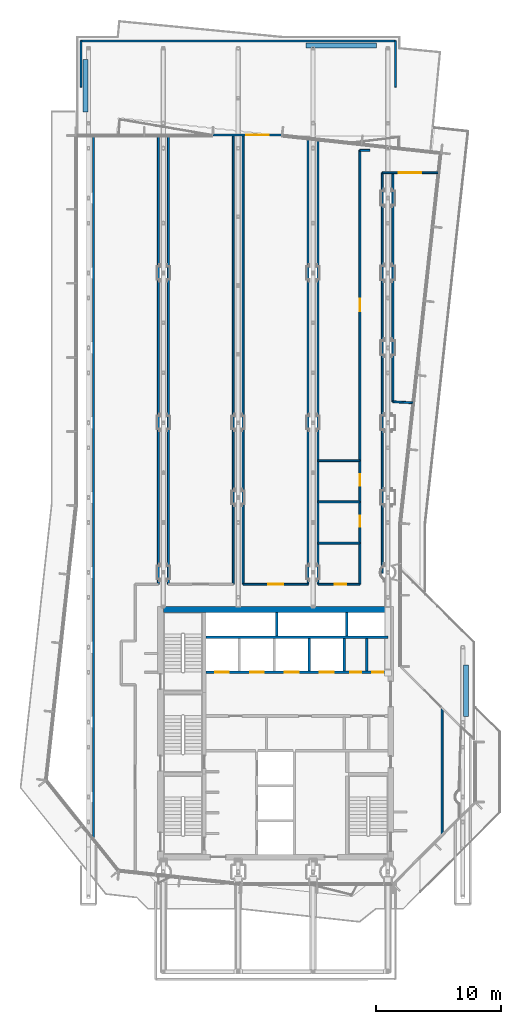
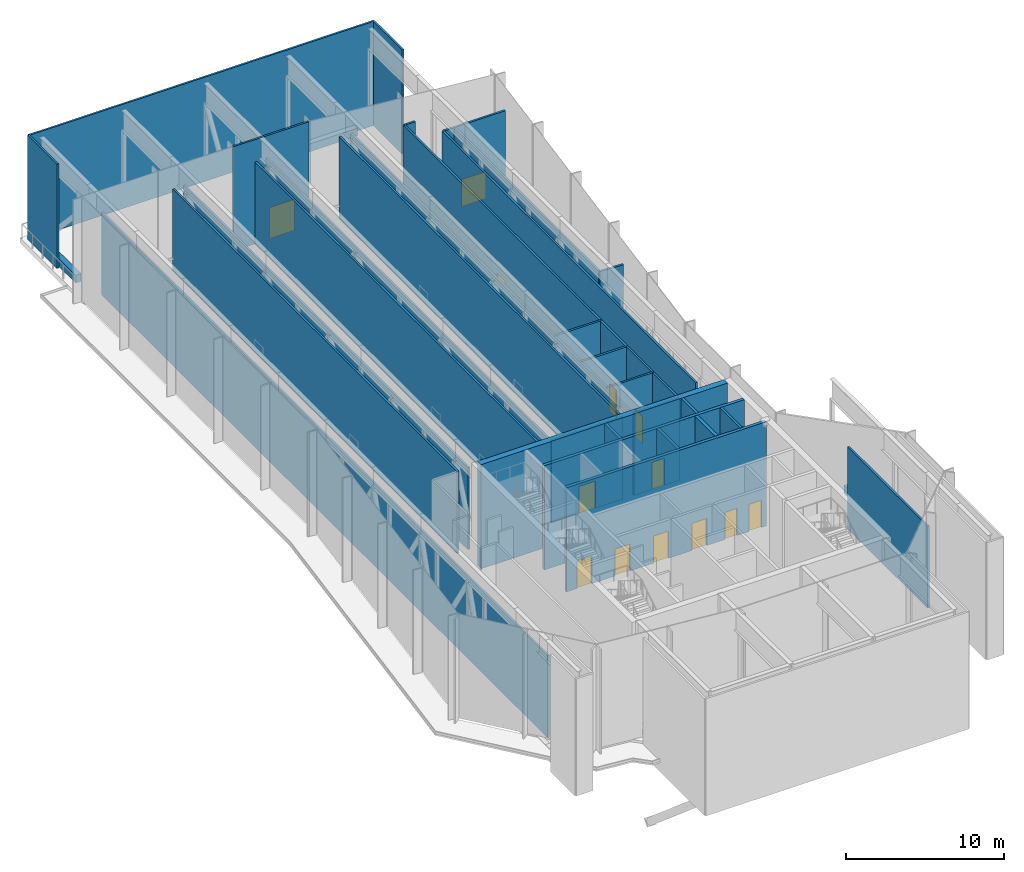
# One storey, part 13 of 21: 37 walls, 13 doors, 13 openings.
"""IFC4 building model written with IfcOpenShell, lengths in metres."""

from ifc_helpers import new_model, si_unit, direction, frame, frame_2d, origin, place, context, subcontext, project, spatial, rectangle, extrude, material, layer, layer_set, type_object, element, fill, save


model = new_model("IFC4")

# Units and contexts
model_context = context("Model", 3, precision=1e-05, world=origin(), true_north=direction((0.0, 1.0)))
body_context = subcontext(model_context, "Body", "Model", "MODEL_VIEW")
ifc_project = project(units=[si_unit("LENGTHUNIT", "METRE"), si_unit("AREAUNIT", "SQUARE_METRE"), si_unit("VOLUMEUNIT", "CUBIC_METRE"), si_unit("PLANEANGLEUNIT", "RADIAN"), si_unit("MASSUNIT", "GRAM", prefix="KILO")], contexts=[model_context])

# Site, building, storey
site_placement = place(None, origin())
site = spatial("IfcSite", under=ifc_project, at=site_placement, CompositionType="ELEMENT")
building_placement = place(site_placement, origin())
building = spatial("IfcBuilding", under=site, at=building_placement, Name="Welwitschia Terrace Campus", CompositionType="ELEMENT")
storey_placement = place(building_placement, frame((0.0, 0.0, 255.800048828125)))
storey = spatial("IfcBuildingStorey", under=building, at=storey_placement, Name="L57", CompositionType="ELEMENT", Elevation=255.800048828125)

# Wall, opening, door
ifc_material_1 = material(Name="Concrete C40/50", Category="concrete")
ifc_layer_1 = layer(ifc_material_1, 0.139892578125)
ifc_layer_set_1 = layer_set([ifc_layer_1], Name="Concrete C40/50")
wall_type_1 = type_object("IfcWallType", Name="Clad wall 140", PredefinedType="SOLIDWALL", material=ifc_layer_set_1)
wall_1_placement = place(storey_placement, frame((15.487060546875, 63.050048828125, 0.0), z_axis=(0.0, 0.0, 1.0), x_axis=(-1.0, 0.0, 0.0)))
wall_1 = element("IfcWall", 1, at=wall_1_placement, inside=storey, type_object=wall_type_1, Name="Clad wall L57.terrace door 1", PredefinedType="SOLIDWALL", context=body_context, shape_type="SweptSolid", body=[
    extrude(rectangle(XDim=5.51220703125, YDim=0.139892578125, at=frame_2d((2.756103515625, 0.0))), origin(), (0.0, 0.0, 1.0), 8.050048828125),
])
opening_1_placement = place(wall_1_placement, frame((1.055908203125, 0.0, 0.0)))
opening_1 = element("IfcOpeningElement", 2, at=opening_1_placement, cuts=wall_1, Name="Opening DE3", PredefinedType="OPENING", context=body_context, shape_type="SweptSolid", body=[
    extrude(rectangle(XDim=1.800048828125, YDim=2.39990234375, at=frame_2d((0.89990234375, 1.199951171875))), frame((0.0, 0.079833984375, 0.0), z_axis=(0.0, -1.0, 0.0), x_axis=(1.0, 0.0, 0.0)), (0.0, 0.0, 1.0), 0.159912109375),
])
ifc_material_2 = material(Name="Bronze anodised aluminium and glass", Category="aluminium")
door_type_1 = type_object("IfcDoorType", Name="Terrace door 1800x2400", OperationType="DOUBLE_DOOR_DOUBLE_SWING", PredefinedType="DOOR", material=ifc_material_2)
door_1_placement = place(opening_1_placement, origin())
door_1 = element("IfcDoor", 3, at=door_1_placement, inside=storey, type_object=door_type_1, Name="Door L57:T1", OperationType="DOUBLE_DOOR_DOUBLE_SWING", OverallHeight=2.39990234375, OverallWidth=1.800048828125, PredefinedType="DOOR", context=body_context, shape_type="SweptSolid", body=[
    extrude(rectangle(XDim=1.800048828125, YDim=2.39990234375, at=frame_2d((0.89990234375, 1.199951171875))), frame((0.0, 0.02490234375, 0.0), z_axis=(0.0, -1.0, 0.0), x_axis=(1.0, 0.0, 0.0)), (0.0, 0.0, 1.0), 0.050048828125),
])
fill(opening_1, door_1)

# Walls
wall_2_placement = place(storey_placement, frame((-0.60009765625, 70.60009765625, 0.0), z_axis=(0.0, 0.0, 1.0), x_axis=(1.0, 0.0, 0.0)))
element("IfcWall", 4, at=wall_2_placement, inside=storey, type_object=wall_type_1, Name="Clad wall L57.tip fascia Nb0 end", PredefinedType="SOLIDWALL", context=body_context, shape_type="SweptSolid", body=[
    extrude(rectangle(XDim=25.2001953125, YDim=0.139892578125, at=frame_2d((12.60009765625, 0.0))), origin(), (0.0, 0.0, 1.0), 8.050048828125),
])
for number, where, z_axis, x_axis, name in (
    (5, (-0.60009765625, 66.89990234375, 0.0), (0.0, 0.0, 1.0), (0.0, 1.0, 0.0), "Clad wall L57.tip fascia Nb0 w"),
    (6, (24.60009765625, 66.89990234375, 0.0), (0.0, 0.0, 1.0), (0.0, 1.0, 0.0), "Clad wall L57.tip fascia Nb0 e"),
):
    element("IfcWall", number, at=place(storey_placement, frame(where, z_axis=z_axis, x_axis=x_axis)), inside=storey, type_object=wall_type_1, Name=name, PredefinedType="SOLIDWALL", context=body_context, shape_type="SweptSolid", body=[
        extrude(rectangle(XDim=3.7001953125, YDim=0.139892578125, at=frame_2d((1.85009765625, 0.0))), origin(), (0.0, 0.0, 1.0), 8.050048828125),
    ])
ifc_material_3 = material(Name="Concrete C32/40", Category="concrete")
ifc_layer_2 = layer(ifc_material_3, 0.175048828125)
ifc_layer_set_2 = layer_set([ifc_layer_2], Name="Concrete C32/40")
wall_type_2 = type_object("IfcWallType", Name="Core partition 175 Concrete C32/40", PredefinedType="PARTITIONING", material=ifc_layer_set_2)
wall_3_placement = place(storey_placement, frame((22.300048828125, 20.10009765625, 0.0), z_axis=(0.0, 0.0, 1.0), x_axis=(0.0, 1.0, 0.0)))
element("IfcWall", 7, at=wall_3_placement, inside=storey, type_object=wall_type_2, Name="Core partition", PredefinedType="PARTITIONING", context=body_context, shape_type="SweptSolid", body=[
    extrude(rectangle(XDim=2.599853515625, YDim=0.175048828125, at=frame_2d((1.2998046875, 0.0))), origin(), (0.0, 0.0, 1.0), 8.050048828125),
])

# Wall, openings, doors
ifc_material_4 = material(Name="Concrete C32/40", Category="concrete")
ifc_layer_3 = layer(ifc_material_4, 0.22509765625)
ifc_layer_set_3 = layer_set([ifc_layer_3], Name="Concrete C32/40")
wall_type_3 = type_object("IfcWallType", Name="Core partition 225 Concrete C32/40", PredefinedType="PARTITIONING", material=ifc_layer_set_3)
wall_4_placement = place(storey_placement, frame((24.0, 20.0, 0.0), z_axis=(0.0, 0.0, 1.0), x_axis=(-1.0, 0.0, 0.0)))
wall_4 = element("IfcWall", 8, at=wall_4_placement, inside=storey, type_object=wall_type_3, Name="Shaft wall", PredefinedType="PARTITIONING", context=body_context, shape_type="SweptSolid", body=[
    extrude(rectangle(XDim=14.60009765625, YDim=0.22509765625, at=frame_2d((7.300048828125, 0.0))), origin(), (0.0, 0.0, 1.0), 8.050048828125),
])
opening_2_placement = place(wall_4_placement, frame((12.75, 0.0, 0.0)))
opening_2 = element("IfcOpeningElement", 9, at=opening_2_placement, cuts=wall_4, Name="Opening LD", PredefinedType="OPENING", context=body_context, shape_type="SweptSolid", body=[
    extrude(rectangle(XDim=1.10009765625, YDim=2.10009765625, at=frame_2d((0.550048828125, 1.050048828125))), frame((0.0, 0.12255859375, 0.0), z_axis=(0.0, -1.0, 0.0), x_axis=(1.0, 0.0, 0.0)), (0.0, 0.0, 1.0), 0.2451171875),
])
opening_3_placement = place(wall_4_placement, frame((9.949951171875, 0.0, 0.0)))
opening_3 = element("IfcOpeningElement", 10, at=opening_3_placement, cuts=wall_4, Name="Opening LD", PredefinedType="OPENING", context=body_context, shape_type="SweptSolid", body=[
    extrude(rectangle(XDim=1.10009765625, YDim=2.10009765625, at=frame_2d((0.550048828125, 1.050048828125))), frame((0.0, 0.12255859375, 0.0), z_axis=(0.0, -1.0, 0.0), x_axis=(1.0, 0.0, 0.0)), (0.0, 0.0, 1.0), 0.2451171875),
])
opening_4_placement = place(wall_4_placement, frame((7.14990234375, 0.0, 0.0)))
opening_4 = element("IfcOpeningElement", 11, at=opening_4_placement, cuts=wall_4, Name="Opening LD", PredefinedType="OPENING", context=body_context, shape_type="SweptSolid", body=[
    extrude(rectangle(XDim=1.10009765625, YDim=2.10009765625, at=frame_2d((0.550048828125, 1.050048828125))), frame((0.0, 0.12255859375, 0.0), z_axis=(0.0, -1.0, 0.0), x_axis=(1.0, 0.0, 0.0)), (0.0, 0.0, 1.0), 0.2451171875),
])
opening_5_placement = place(wall_4_placement, frame((4.35009765625, 0.0, 0.0)))
opening_5 = element("IfcOpeningElement", 12, at=opening_5_placement, cuts=wall_4, Name="Opening LD", PredefinedType="OPENING", context=body_context, shape_type="SweptSolid", body=[
    extrude(rectangle(XDim=1.10009765625, YDim=2.10009765625, at=frame_2d((0.550048828125, 1.050048828125))), frame((0.0, 0.12255859375, 0.0), z_axis=(0.0, -1.0, 0.0), x_axis=(1.0, 0.0, 0.0)), (0.0, 0.0, 1.0), 0.2451171875),
])
opening_6_placement = place(wall_4_placement, frame((2.137451171875, 0.0, 0.0)))
opening_6 = element("IfcOpeningElement", 13, at=opening_6_placement, cuts=wall_4, Name="Opening DR09", PredefinedType="OPENING", context=body_context, shape_type="SweptSolid", body=[
    extrude(rectangle(XDim=0.89990234375, YDim=2.10009765625, at=frame_2d((0.449951171875, 1.050048828125))), frame((0.0, 0.12255859375, 0.0), z_axis=(0.0, -1.0, 0.0), x_axis=(1.0, 0.0, 0.0)), (0.0, 0.0, 1.0), 0.2451171875),
])
opening_7_placement = place(wall_4_placement, frame((0.362548828125, 0.0, 0.0)))
opening_7 = element("IfcOpeningElement", 14, at=opening_7_placement, cuts=wall_4, Name="Opening DR09", PredefinedType="OPENING", context=body_context, shape_type="SweptSolid", body=[
    extrude(rectangle(XDim=0.89990234375, YDim=2.10009765625, at=frame_2d((0.449951171875, 1.050048828125))), frame((0.0, 0.12255859375, 0.0), z_axis=(0.0, -1.0, 0.0), x_axis=(1.0, 0.0, 0.0)), (0.0, 0.0, 1.0), 0.2451171875),
])
ifc_material_5 = material(Name="Steel S275", Category="steel")
door_type_2 = type_object("IfcDoorType", Name="Core door DR09", OperationType="SINGLE_SWING_LEFT", PredefinedType="DOOR", material=ifc_material_5)
door_2_placement = place(opening_6_placement, origin())
door_2 = element("IfcDoor", 15, at=door_2_placement, inside=storey, type_object=door_type_2, Name="Door EH1-D", OperationType="SINGLE_SWING_LEFT", OverallHeight=2.10009765625, OverallWidth=0.89990234375, PredefinedType="DOOR", context=body_context, shape_type="SweptSolid", body=[
    extrude(rectangle(XDim=0.89990234375, YDim=2.10009765625, at=frame_2d((0.449951171875, 1.050048828125))), frame((0.0, 0.02490234375, 0.0), z_axis=(0.0, -1.0, 0.0), x_axis=(1.0, 0.0, 0.0)), (0.0, 0.0, 1.0), 0.050048828125),
])
fill(opening_6, door_2)
door_3_placement = place(opening_7_placement, origin())
door_3 = element("IfcDoor", 16, at=door_3_placement, inside=storey, type_object=door_type_2, Name="Door EH2-D", OperationType="SINGLE_SWING_LEFT", OverallHeight=2.10009765625, OverallWidth=0.89990234375, PredefinedType="DOOR", context=body_context, shape_type="SweptSolid", body=[
    extrude(rectangle(XDim=0.89990234375, YDim=2.10009765625, at=frame_2d((0.449951171875, 1.050048828125))), frame((0.0, 0.02490234375, 0.0), z_axis=(0.0, -1.0, 0.0), x_axis=(1.0, 0.0, 0.0)), (0.0, 0.0, 1.0), 0.050048828125),
])
fill(opening_7, door_3)
ifc_material_6 = material(Name="Stainless steel 304", Category="steel")
door_type_3 = type_object("IfcDoorType", Name="Lift landing door", OperationType="DOUBLE_DOOR_SLIDING", PredefinedType="DOOR", material=ifc_material_6)
door_4_placement = place(opening_2_placement, origin())
door_4 = element("IfcDoor", 17, at=door_4_placement, inside=storey, type_object=door_type_3, Name="Landing door HR1", OperationType="DOUBLE_DOOR_SLIDING", OverallHeight=2.10009765625, OverallWidth=1.10009765625, PredefinedType="DOOR", context=body_context, shape_type="SweptSolid", body=[
    extrude(rectangle(XDim=1.10009765625, YDim=2.10009765625, at=frame_2d((0.550048828125, 1.050048828125))), frame((0.0, 0.02490234375, 0.0), z_axis=(0.0, -1.0, 0.0), x_axis=(1.0, 0.0, 0.0)), (0.0, 0.0, 1.0), 0.050048828125),
])
fill(opening_2, door_4)
door_5_placement = place(opening_3_placement, origin())
door_5 = element("IfcDoor", 18, at=door_5_placement, inside=storey, type_object=door_type_3, Name="Landing door HR2", OperationType="DOUBLE_DOOR_SLIDING", OverallHeight=2.10009765625, OverallWidth=1.10009765625, PredefinedType="DOOR", context=body_context, shape_type="SweptSolid", body=[
    extrude(rectangle(XDim=1.10009765625, YDim=2.10009765625, at=frame_2d((0.550048828125, 1.050048828125))), frame((0.0, 0.02490234375, 0.0), z_axis=(0.0, -1.0, 0.0), x_axis=(1.0, 0.0, 0.0)), (0.0, 0.0, 1.0), 0.050048828125),
])
fill(opening_3, door_5)
door_6_placement = place(opening_4_placement, origin())
door_6 = element("IfcDoor", 19, at=door_6_placement, inside=storey, type_object=door_type_3, Name="Landing door HR3", OperationType="DOUBLE_DOOR_SLIDING", OverallHeight=2.10009765625, OverallWidth=1.10009765625, PredefinedType="DOOR", context=body_context, shape_type="SweptSolid", body=[
    extrude(rectangle(XDim=1.10009765625, YDim=2.10009765625, at=frame_2d((0.550048828125, 1.050048828125))), frame((0.0, 0.02490234375, 0.0), z_axis=(0.0, -1.0, 0.0), x_axis=(1.0, 0.0, 0.0)), (0.0, 0.0, 1.0), 0.050048828125),
])
fill(opening_4, door_6)
door_7_placement = place(opening_5_placement, origin())
door_7 = element("IfcDoor", 20, at=door_7_placement, inside=storey, type_object=door_type_3, Name="Landing door HR4", OperationType="DOUBLE_DOOR_SLIDING", OverallHeight=2.10009765625, OverallWidth=1.10009765625, PredefinedType="DOOR", context=body_context, shape_type="SweptSolid", body=[
    extrude(rectangle(XDim=1.10009765625, YDim=2.10009765625, at=frame_2d((0.550048828125, 1.050048828125))), frame((0.0, 0.02490234375, 0.0), z_axis=(0.0, -1.0, 0.0), x_axis=(1.0, 0.0, 0.0)), (0.0, 0.0, 1.0), 0.050048828125),
])
fill(opening_5, door_7)

# Walls
wall_5_placement = place(storey_placement, frame((9.39990234375, 22.800048828125, 0.0), z_axis=(0.0, 0.0, 1.0), x_axis=(1.0, 0.0, 0.0)))
element("IfcWall", 21, at=wall_5_placement, inside=storey, type_object=wall_type_3, Name="Shaft wall", PredefinedType="PARTITIONING", context=body_context, shape_type="SweptSolid", body=[
    extrude(rectangle(XDim=14.60009765625, YDim=0.22509765625, at=frame_2d((7.300048828125, 0.0))), origin(), (0.0, 0.0, 1.0), 8.050048828125),
])
wall_6_placement = place(storey_placement, frame((20.5, 20.10009765625, 0.0), z_axis=(0.0, 0.0, 1.0), x_axis=(0.0, 1.0, 0.0)))
element("IfcWall", 22, at=wall_6_placement, inside=storey, type_object=wall_type_3, Name="Shaft wall", PredefinedType="PARTITIONING", context=body_context, shape_type="SweptSolid", body=[
    extrude(rectangle(XDim=2.599853515625, YDim=0.22509765625, at=frame_2d((1.2998046875, 0.0))), origin(), (0.0, 0.0, 1.0), 8.050048828125),
])
ifc_material_7 = material(Name="Concrete C50/60", Category="concrete")
ifc_layer_4 = layer(ifc_material_7, 0.199951171875)
ifc_layer_set_4 = layer_set([ifc_layer_4], Name="Concrete C50/60")
wall_type_4 = type_object("IfcWallType", Name="Core wall 200 Concrete C50/60", PredefinedType="SHEAR", material=ifc_layer_set_4)
for number, where, z_axis, x_axis, name in (
    (23, (15.10009765625, 22.89990234375, 0.0), (0.0, 0.0, 1.0), (0.0, 1.0, 0.0), "Core wall"),
    (24, (20.699951171875, 22.89990234375, 0.0), (0.0, 0.0, 1.0), (0.0, 1.0, 0.0), "Core wall"),
):
    element("IfcWall", number, at=place(storey_placement, frame(where, z_axis=z_axis, x_axis=x_axis)), inside=storey, type_object=wall_type_4, Name=name, PredefinedType="SHEAR", context=body_context, shape_type="SweptSolid", body=[
        extrude(rectangle(XDim=1.900146484375, YDim=0.199951171875, at=frame_2d((0.9501953125, 0.0))), origin(), (0.0, 0.0, 1.0), 8.050048828125),
    ])
ifc_material_8 = material(Name="Concrete C60/75", Category="concrete")
ifc_layer_5 = layer(ifc_material_8, 0.449951171875)
ifc_layer_set_5 = layer_set([ifc_layer_5], Name="Concrete C60/75")
wall_type_5 = type_object("IfcWallType", Name="Core wall 450 Concrete C60/75", PredefinedType="SHEAR", material=ifc_layer_set_5)
wall_7_placement = place(storey_placement, frame((6.0, 25.02490234375, 0.0), z_axis=(0.0, 0.0, 1.0), x_axis=(1.0, 0.0, 0.0)))
element("IfcWall", 25, at=wall_7_placement, inside=storey, type_object=wall_type_5, Name="Core outer wall", PredefinedType="SHEAR", context=body_context, shape_type="SweptSolid", body=[
    extrude(rectangle(XDim=18.0, YDim=0.449951171875, at=frame_2d((9.0, 0.0))), origin(), (0.0, 0.0, 1.0), 8.050048828125),
])
ifc_material_9 = material(Name="Gypsum board on steel studs", Category="steel")
ifc_layer_6 = layer(ifc_material_9, 0.14990234375)
ifc_layer_set_6 = layer_set([ifc_layer_6], Name="Gypsum board on steel studs")
wall_type_6 = type_object("IfcWallType", Name="Corridor partition 150 EI 30", PredefinedType="PARTITIONING", material=ifc_layer_set_6)
wall_8_placement = place(storey_placement, frame((0.39990234375, 6.590087890625, 0.0), z_axis=(0.0, 0.0, 1.0), x_axis=(0.0, 1.0, 0.0)))
element("IfcWall", 26, at=wall_8_placement, inside=storey, type_object=wall_type_6, Name="Partition", PredefinedType="PARTITIONING", context=body_context, shape_type="SweptSolid", body=[
    extrude(rectangle(XDim=56.409912109375, YDim=0.14990234375, at=frame_2d((28.205078125, 0.0))), origin(), (0.0, 0.0, 1.0), 6.329833984375),
])
for number, where, z_axis, x_axis, name in (
    (27, (5.60009765625, 27.050048828125, 0.0), (0.0, 0.0, 1.0), (0.0, 1.0, 0.0), "Partition"),
    (28, (6.39990234375, 27.050048828125, 0.0), (0.0, 0.0, 1.0), (0.0, 1.0, 0.0), "Partition"),
    (29, (11.60009765625, 27.050048828125, 0.0), (0.0, 0.0, 1.0), (0.0, 1.0, 0.0), "Partition"),
    (30, (12.39990234375, 27.050048828125, 0.0), (0.0, 0.0, 1.0), (0.0, 1.0, 0.0), "Partition"),
):
    element("IfcWall", number, at=place(storey_placement, frame(where, z_axis=z_axis, x_axis=x_axis)), inside=storey, type_object=wall_type_6, Name=name, PredefinedType="PARTITIONING", context=body_context, shape_type="SweptSolid", body=[
        extrude(rectangle(XDim=35.949951171875, YDim=0.14990234375, at=frame_2d((17.97509765625, 0.0))), origin(), (0.0, 0.0, 1.0), 6.329833984375),
    ])

# Wall, opening, door
wall_9_placement = place(storey_placement, frame((12.39990234375, 27.050048828125, 0.0), z_axis=(0.0, 0.0, 1.0), x_axis=(1.0, 0.0, 0.0)))
wall_9 = element("IfcWall", 31, at=wall_9_placement, inside=storey, type_object=wall_type_6, Name="Partition", PredefinedType="PARTITIONING", context=body_context, shape_type="SweptSolid", body=[
    extrude(rectangle(XDim=5.2001953125, YDim=0.14990234375, at=frame_2d((2.60009765625, 0.0))), origin(), (0.0, 0.0, 1.0), 6.329833984375),
])
opening_8_placement = place(wall_9_placement, frame((2.0, 0.0, 0.0)))
opening_8 = element("IfcOpeningElement", 32, at=opening_8_placement, cuts=wall_9, Name="Opening DI12", PredefinedType="OPENING", context=body_context, shape_type="SweptSolid", body=[
    extrude(rectangle(XDim=1.199951171875, YDim=2.10009765625, at=frame_2d((0.60009765625, 1.050048828125))), frame((0.0, 0.0849609375, 0.0), z_axis=(0.0, -1.0, 0.0), x_axis=(1.0, 0.0, 0.0)), (0.0, 0.0, 1.0), 0.169921875),
])
ifc_material_10 = material(Name="Timber veneered door", Category="wood")
door_type_4 = type_object("IfcDoorType", Name="Interior door DI12", OperationType="NOTDEFINED", PredefinedType="DOOR", material=ifc_material_10)
door_8_placement = place(opening_8_placement, origin())
door_8 = element("IfcDoor", 33, at=door_8_placement, inside=storey, type_object=door_type_4, Name="Door L57 1034", OperationType="SINGLE_SWING_LEFT", OverallHeight=2.10009765625, OverallWidth=1.199951171875, PredefinedType="DOOR", context=body_context, shape_type="SweptSolid", body=[
    extrude(rectangle(XDim=1.199951171875, YDim=2.10009765625, at=frame_2d((0.60009765625, 1.050048828125))), frame((0.0, 0.02490234375, 0.0), z_axis=(0.0, -1.0, 0.0), x_axis=(1.0, 0.0, 0.0)), (0.0, 0.0, 1.0), 0.050048828125),
])
fill(opening_8, door_8)

# Walls
wall_10_placement = place(storey_placement, frame((17.60009765625, 27.050048828125, 0.0), z_axis=(0.0, 0.0, 1.0), x_axis=(0.0, 1.0, 0.0)))
element("IfcWall", 34, at=wall_10_placement, inside=storey, type_object=wall_type_6, Name="Partition", PredefinedType="PARTITIONING", context=body_context, shape_type="SweptSolid", body=[
    extrude(rectangle(XDim=35.719970703125, YDim=0.14990234375, at=frame_2d((17.85986328125, 0.0))), origin(), (0.0, 0.0, 1.0), 6.329833984375),
])
wall_11_placement = place(storey_placement, frame((18.39990234375, 27.050048828125, 0.0), z_axis=(0.0, 0.0, 1.0), x_axis=(0.0, 1.0, 0.0)))
element("IfcWall", 35, at=wall_11_placement, inside=storey, type_object=wall_type_6, Name="Partition", PredefinedType="PARTITIONING", context=body_context, shape_type="SweptSolid", body=[
    extrude(rectangle(XDim=35.6298828125, YDim=0.14990234375, at=frame_2d((17.81494140625, 0.0))), origin(), (0.0, 0.0, 1.0), 6.329833984375),
])

# Wall, opening, door
wall_12_placement = place(storey_placement, frame((18.39990234375, 27.050048828125, 0.0), z_axis=(0.0, 0.0, 1.0), x_axis=(1.0, 0.0, 0.0)))
wall_12 = element("IfcWall", 36, at=wall_12_placement, inside=storey, type_object=wall_type_6, Name="Partition", PredefinedType="PARTITIONING", context=body_context, shape_type="SweptSolid", body=[
    extrude(rectangle(XDim=3.35009765625, YDim=0.14990234375, at=frame_2d((1.675048828125, 0.0))), origin(), (0.0, 0.0, 1.0), 6.329833984375),
])
opening_9_placement = place(wall_12_placement, frame((1.35009765625, 0.0, 0.0)))
opening_9 = element("IfcOpeningElement", 37, at=opening_9_placement, cuts=wall_12, Name="Opening DI09", PredefinedType="OPENING", context=body_context, shape_type="SweptSolid", body=[
    extrude(rectangle(XDim=0.89990234375, YDim=2.10009765625, at=frame_2d((0.449951171875, 1.050048828125))), frame((0.0, 0.0849609375, 0.0), z_axis=(0.0, -1.0, 0.0), x_axis=(1.0, 0.0, 0.0)), (0.0, 0.0, 1.0), 0.169921875),
])
ifc_material_11 = material(Name="Timber veneered door", Category="wood")
door_type_5 = type_object("IfcDoorType", Name="Interior door DI09", OperationType="NOTDEFINED", PredefinedType="DOOR", material=ifc_material_11)
door_9_placement = place(opening_9_placement, origin())
door_9 = element("IfcDoor", 38, at=door_9_placement, inside=storey, type_object=door_type_5, Name="Door L57 1035", OperationType="SINGLE_SWING_RIGHT", OverallHeight=2.10009765625, OverallWidth=0.89990234375, PredefinedType="DOOR", context=body_context, shape_type="SweptSolid", body=[
    extrude(rectangle(XDim=0.89990234375, YDim=2.10009765625, at=frame_2d((0.449951171875, 1.050048828125))), frame((0.0, 0.02490234375, 0.0), z_axis=(0.0, -1.0, 0.0), x_axis=(1.0, 0.0, 0.0)), (0.0, 0.0, 1.0), 0.050048828125),
])
fill(opening_9, door_9)

# Walls
for number, where, z_axis, x_axis, name in (
    (39, (18.39990234375, 30.35009765625, 0.0), (0.0, 0.0, 1.0), (1.0, 0.0, 0.0), "Partition"),
    (40, (18.39990234375, 33.64990234375, 0.0), (0.0, 0.0, 1.0), (1.0, 0.0, 0.0), "Partition"),
    (41, (18.39990234375, 36.949951171875, 0.0), (0.0, 0.0, 1.0), (1.0, 0.0, 0.0), "Partition"),
):
    element("IfcWall", number, at=place(storey_placement, frame(where, z_axis=z_axis, x_axis=x_axis)), inside=storey, type_object=wall_type_6, Name=name, PredefinedType="PARTITIONING", context=body_context, shape_type="SweptSolid", body=[
        extrude(rectangle(XDim=3.35009765625, YDim=0.14990234375, at=frame_2d((1.675048828125, 0.0))), origin(), (0.0, 0.0, 1.0), 6.329833984375),
    ])
wall_13_placement = place(storey_placement, frame((21.75, 27.050048828125, 0.0), z_axis=(0.0, 0.0, 1.0), x_axis=(0.0, 1.0, 0.0)))
element("IfcWall", 42, at=wall_13_placement, inside=storey, type_object=wall_type_6, Name="Partition", PredefinedType="PARTITIONING", context=body_context, shape_type="SweptSolid", body=[
    extrude(rectangle(XDim=3.300048828125, YDim=0.14990234375, at=frame_2d((1.64990234375, 0.0))), origin(), (0.0, 0.0, 1.0), 6.329833984375),
])

# Wall, opening, door
wall_14_placement = place(storey_placement, frame((21.75, 30.35009765625, 0.0), z_axis=(0.0, 0.0, 1.0), x_axis=(0.0, 1.0, 0.0)))
wall_14 = element("IfcWall", 43, at=wall_14_placement, inside=storey, type_object=wall_type_6, Name="Partition", PredefinedType="PARTITIONING", context=body_context, shape_type="SweptSolid", body=[
    extrude(rectangle(XDim=3.2998046875, YDim=0.14990234375, at=frame_2d((1.64990234375, 0.0))), origin(), (0.0, 0.0, 1.0), 6.329833984375),
])
opening_10_placement = place(wall_14_placement, frame((1.300048828125, 0.0, 0.0)))
opening_10 = element("IfcOpeningElement", 44, at=opening_10_placement, cuts=wall_14, Name="Opening DI09", PredefinedType="OPENING", context=body_context, shape_type="SweptSolid", body=[
    extrude(rectangle(XDim=0.89990234375, YDim=2.10009765625, at=frame_2d((0.449951171875, 1.050048828125))), frame((0.0, 0.0849609375, 0.0), z_axis=(0.0, -1.0, 0.0), x_axis=(1.0, 0.0, 0.0)), (0.0, 0.0, 1.0), 0.169921875),
])
door_10_placement = place(opening_10_placement, origin())
door_10 = element("IfcDoor", 45, at=door_10_placement, inside=storey, type_object=door_type_5, Name="Door L57 1036", OperationType="SINGLE_SWING_LEFT", OverallHeight=2.10009765625, OverallWidth=0.89990234375, PredefinedType="DOOR", context=body_context, shape_type="SweptSolid", body=[
    extrude(rectangle(XDim=0.89990234375, YDim=2.10009765625, at=frame_2d((0.449951171875, 1.050048828125))), frame((0.0, 0.02490234375, 0.0), z_axis=(0.0, -1.0, 0.0), x_axis=(1.0, 0.0, 0.0)), (0.0, 0.0, 1.0), 0.050048828125),
])
fill(opening_10, door_10)

wall_15_placement = place(storey_placement, frame((21.75, 33.64990234375, 0.0), z_axis=(0.0, 0.0, 1.0), x_axis=(0.0, 1.0, 0.0)))
wall_15 = element("IfcWall", 46, at=wall_15_placement, inside=storey, type_object=wall_type_6, Name="Partition", PredefinedType="PARTITIONING", context=body_context, shape_type="SweptSolid", body=[
    extrude(rectangle(XDim=3.300048828125, YDim=0.14990234375, at=frame_2d((1.64990234375, 0.0))), origin(), (0.0, 0.0, 1.0), 6.329833984375),
])
opening_11_placement = place(wall_15_placement, frame((1.300048828125, 0.0, 0.0)))
opening_11 = element("IfcOpeningElement", 47, at=opening_11_placement, cuts=wall_15, Name="Opening DI09", PredefinedType="OPENING", context=body_context, shape_type="SweptSolid", body=[
    extrude(rectangle(XDim=0.89990234375, YDim=2.10009765625, at=frame_2d((0.449951171875, 1.050048828125))), frame((0.0, 0.0849609375, 0.0), z_axis=(0.0, -1.0, 0.0), x_axis=(1.0, 0.0, 0.0)), (0.0, 0.0, 1.0), 0.169921875),
])
door_11_placement = place(opening_11_placement, origin())
door_11 = element("IfcDoor", 48, at=door_11_placement, inside=storey, type_object=door_type_5, Name="Door L57 1037", OperationType="SINGLE_SWING_RIGHT", OverallHeight=2.10009765625, OverallWidth=0.89990234375, PredefinedType="DOOR", context=body_context, shape_type="SweptSolid", body=[
    extrude(rectangle(XDim=0.89990234375, YDim=2.10009765625, at=frame_2d((0.449951171875, 1.050048828125))), frame((0.0, 0.02490234375, 0.0), z_axis=(0.0, -1.0, 0.0), x_axis=(1.0, 0.0, 0.0)), (0.0, 0.0, 1.0), 0.050048828125),
])
fill(opening_11, door_11)

wall_16_placement = place(storey_placement, frame((21.75, 36.949951171875, 0.0), z_axis=(0.0, 0.0, 1.0), x_axis=(0.0, 1.0, 0.0)))
wall_16 = element("IfcWall", 49, at=wall_16_placement, inside=storey, type_object=wall_type_6, Name="Partition", PredefinedType="PARTITIONING", context=body_context, shape_type="SweptSolid", body=[
    extrude(rectangle(XDim=24.880126953125, YDim=0.14990234375, at=frame_2d((12.43994140625, 0.0))), origin(), (0.0, 0.0, 1.0), 6.329833984375),
])
opening_12_placement = place(wall_16_placement, frame((11.97998046875, 0.0, 0.0)))
opening_12 = element("IfcOpeningElement", 50, at=opening_12_placement, cuts=wall_16, Name="Opening DI10", PredefinedType="OPENING", context=body_context, shape_type="SweptSolid", body=[
    extrude(rectangle(XDim=1.0, YDim=2.10009765625, at=frame_2d((0.5, 1.050048828125))), frame((0.0, 0.0849609375, 0.0), z_axis=(0.0, -1.0, 0.0), x_axis=(1.0, 0.0, 0.0)), (0.0, 0.0, 1.0), 0.169921875),
])
ifc_material_12 = material(Name="Timber veneered door", Category="wood")
door_type_6 = type_object("IfcDoorType", Name="Interior door DI10", OperationType="NOTDEFINED", PredefinedType="DOOR", material=ifc_material_12)
door_12_placement = place(opening_12_placement, origin())
door_12 = element("IfcDoor", 51, at=door_12_placement, inside=storey, type_object=door_type_6, Name="Door L57 1038", OperationType="SINGLE_SWING_LEFT", OverallHeight=2.10009765625, OverallWidth=1.0, PredefinedType="DOOR", context=body_context, shape_type="SweptSolid", body=[
    extrude(rectangle(XDim=1.0, YDim=2.10009765625, at=frame_2d((0.5, 1.050048828125))), frame((0.0, 0.02490234375, 0.0), z_axis=(0.0, -1.0, 0.0), x_axis=(1.0, 0.0, 0.0)), (0.0, 0.0, 1.0), 0.050048828125),
])
fill(opening_12, door_12)

# Walls
wall_17_placement = place(storey_placement, frame((21.75, 61.830078125, 0.0), z_axis=(0.0, 0.0, 1.0), x_axis=(1.0, 0.0, 0.0)))
element("IfcWall", 52, at=wall_17_placement, inside=storey, type_object=wall_type_6, Name="Partition", PredefinedType="PARTITIONING", context=body_context, shape_type="SweptSolid", body=[
    extrude(rectangle(XDim=0.800048828125, YDim=0.14990234375, at=frame_2d((0.39990234375, 0.0))), origin(), (0.0, 0.0, 1.0), 6.329833984375),
])
wall_18_placement = place(storey_placement, frame((23.550048828125, 27.949951171875, 0.0), z_axis=(0.0, 0.0, 1.0), x_axis=(0.0, 1.0, 0.0)))
element("IfcWall", 53, at=wall_18_placement, inside=storey, type_object=wall_type_6, Name="Partition", PredefinedType="PARTITIONING", context=body_context, shape_type="SweptSolid", body=[
    extrude(rectangle(XDim=32.080078125, YDim=0.14990234375, at=frame_2d((16.0400390625, 0.0))), origin(), (0.0, 0.0, 1.0), 6.329833984375),
])

# Wall, opening, door
wall_19_placement = place(storey_placement, frame((23.550048828125, 60.030029296875, 0.0), z_axis=(0.0, 0.0, 1.0), x_axis=(1.0, 0.0, 0.0)))
wall_19 = element("IfcWall", 54, at=wall_19_placement, inside=storey, type_object=wall_type_6, Name="Partition", PredefinedType="PARTITIONING", context=body_context, shape_type="SweptSolid", body=[
    extrude(rectangle(XDim=4.530029296875, YDim=0.14990234375, at=frame_2d((2.26513671875, 0.0))), origin(), (0.0, 0.0, 1.0), 6.329833984375),
])
opening_13_placement = place(wall_19_placement, frame((1.330078125, 0.0, 0.0)))
opening_13 = element("IfcOpeningElement", 55, at=opening_13_placement, cuts=wall_19, Name="Opening DI18", PredefinedType="OPENING", context=body_context, shape_type="SweptSolid", body=[
    extrude(rectangle(XDim=1.800048828125, YDim=2.10009765625, at=frame_2d((0.89990234375, 1.050048828125))), frame((0.0, 0.0849609375, 0.0), z_axis=(0.0, -1.0, 0.0), x_axis=(1.0, 0.0, 0.0)), (0.0, 0.0, 1.0), 0.169921875),
])
ifc_material_13 = material(Name="Timber veneered door", Category="wood")
door_type_7 = type_object("IfcDoorType", Name="Interior door DI18", OperationType="DOUBLE_DOOR_SINGLE_SWING", PredefinedType="DOOR", material=ifc_material_13)
door_13_placement = place(opening_13_placement, origin())
door_13 = element("IfcDoor", 56, at=door_13_placement, inside=storey, type_object=door_type_7, Name="Door L57 1039", OperationType="SINGLE_SWING_LEFT", OverallHeight=2.10009765625, OverallWidth=1.800048828125, PredefinedType="DOOR", context=body_context, shape_type="SweptSolid", body=[
    extrude(rectangle(XDim=1.800048828125, YDim=2.10009765625, at=frame_2d((0.89990234375, 1.050048828125))), frame((0.0, 0.02490234375, 0.0), z_axis=(0.0, -1.0, 0.0), x_axis=(1.0, 0.0, 0.0)), (0.0, 0.0, 1.0), 0.050048828125),
])
fill(opening_13, door_13)

# Walls
wall_20_placement = place(storey_placement, frame((24.39990234375, 41.679931640625, 0.0), z_axis=(0.0, 0.0, 1.0), x_axis=(0.0, 1.0, 0.0)))
element("IfcWall", 57, at=wall_20_placement, inside=storey, type_object=wall_type_6, Name="Partition", PredefinedType="PARTITIONING", context=body_context, shape_type="SweptSolid", body=[
    extrude(rectangle(XDim=18.340087890625, YDim=0.14990234375, at=frame_2d((9.169921875, 0.0))), origin(), (0.0, 0.0, 1.0), 6.329833984375),
])
wall_21_placement = place(storey_placement, frame((24.39990234375, 41.679931640625, 0.0), z_axis=(0.0, 0.0, 1.0), x_axis=(0.998538848833, -0.054038572996, 0.0)))
element("IfcWall", 58, at=wall_21_placement, inside=storey, type_object=wall_type_6, Name="Partition", PredefinedType="PARTITIONING", context=body_context, shape_type="SweptSolid", body=[
    extrude(rectangle(XDim=1.66259765625, YDim=0.14990234375, at=frame_2d((0.831298828125, 0.0))), origin(), (0.0, 0.0, 1.0), 6.329833984375),
])
wall_22_placement = place(storey_placement, frame((28.35009765625, 6.93994140625, 0.0), z_axis=(0.0, 0.0, 1.0), x_axis=(0.0, 1.0, 0.0)))
element("IfcWall", 59, at=wall_22_placement, inside=storey, type_object=wall_type_6, Name="Partition", PredefinedType="PARTITIONING", context=body_context, shape_type="SweptSolid", body=[
    extrude(rectangle(XDim=10.1201171875, YDim=0.14990234375, at=frame_2d((5.06005859375, 0.0))), origin(), (0.0, 0.0, 1.0), 6.329833984375),
])
ifc_material_14 = material(Name="Concrete C40/50", Category="concrete")
ifc_layer_7 = layer(ifc_material_14, 0.39990234375)
ifc_layer_set_7 = layer_set([ifc_layer_7], Name="Concrete C40/50")
wall_type_7 = type_object("IfcWallType", Name="Planter wall 400", PredefinedType="SOLIDWALL", material=ifc_layer_set_7)
wall_23_placement = place(storey_placement, frame((30.25, 20.57275390625, 0.0), z_axis=(0.0, 0.0, 1.0), x_axis=(0.0, -1.0, 0.0)))
element("IfcWall", 60, at=wall_23_placement, inside=storey, type_object=wall_type_7, Name="PLANTER", PredefinedType="SOLIDWALL", context=body_context, shape_type="SweptSolid", body=[
    extrude(rectangle(XDim=4.1171875, YDim=0.39990234375, at=frame_2d((2.05859375, 0.0))), origin(), (0.0, 0.0, 1.0), 0.599853515625),
])
wall_24_placement = place(storey_placement, frame((-0.25, 64.89990234375, 0.0), z_axis=(0.0, 0.0, 1.0), x_axis=(0.0, 1.0, 0.0)))
element("IfcWall", 61, at=wall_24_placement, inside=storey, type_object=wall_type_7, Name="PLANTER", PredefinedType="SOLIDWALL", context=body_context, shape_type="SweptSolid", body=[
    extrude(rectangle(XDim=4.2001953125, YDim=0.39990234375, at=frame_2d((2.10009765625, 0.0))), origin(), (0.0, 0.0, 1.0), 0.599853515625),
])
wall_25_placement = place(storey_placement, frame((17.4306640625, 70.25, 0.0), z_axis=(0.0, 0.0, 1.0), x_axis=(1.0, 0.0, 0.0)))
element("IfcWall", 62, at=wall_25_placement, inside=storey, type_object=wall_type_7, Name="PLANTER", PredefinedType="SOLIDWALL", context=body_context, shape_type="SweptSolid", body=[
    extrude(rectangle(XDim=5.66943359375, YDim=0.39990234375, at=frame_2d((2.834716796875, 0.0))), origin(), (0.0, 0.0, 1.0), 0.599853515625),
])
ifc_material_15 = material(Name="Concrete C32/40", Category="concrete")
ifc_layer_8 = layer(ifc_material_15, 0.199951171875)
ifc_layer_set_8 = layer_set([ifc_layer_8], Name="Concrete C32/40")
wall_type_8 = type_object("IfcWallType", Name="Shaft wall 200 Concrete C32/40", PredefinedType="SOLIDWALL", material=ifc_layer_set_8)
wall_26_placement = place(storey_placement, frame((17.699951171875, 20.10009765625, 0.0), z_axis=(0.0, 0.0, 1.0), x_axis=(0.0, 1.0, 0.0)))
element("IfcWall", 63, at=wall_26_placement, inside=storey, type_object=wall_type_8, Name="Shaft wall", PredefinedType="SOLIDWALL", context=body_context, shape_type="SweptSolid", body=[
    extrude(rectangle(XDim=2.599853515625, YDim=0.199951171875, at=frame_2d((1.2998046875, 0.0))), origin(), (0.0, 0.0, 1.0), 8.050048828125),
])

save(model, "model.ifc")
